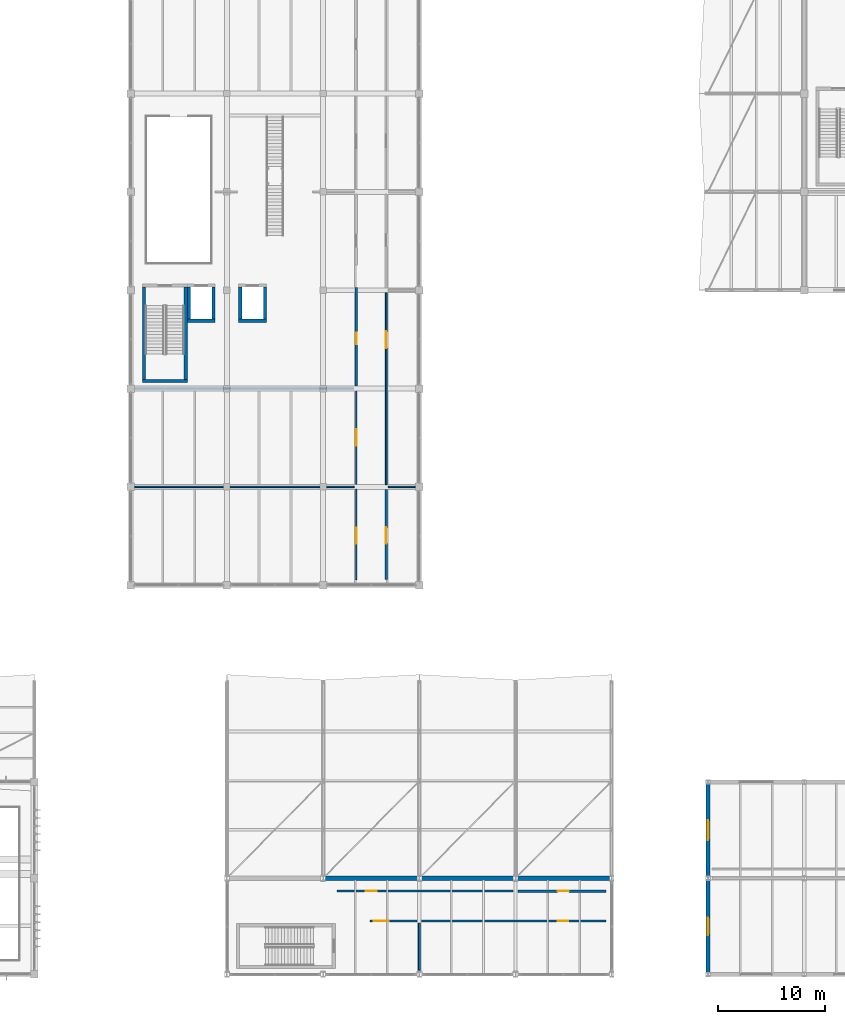
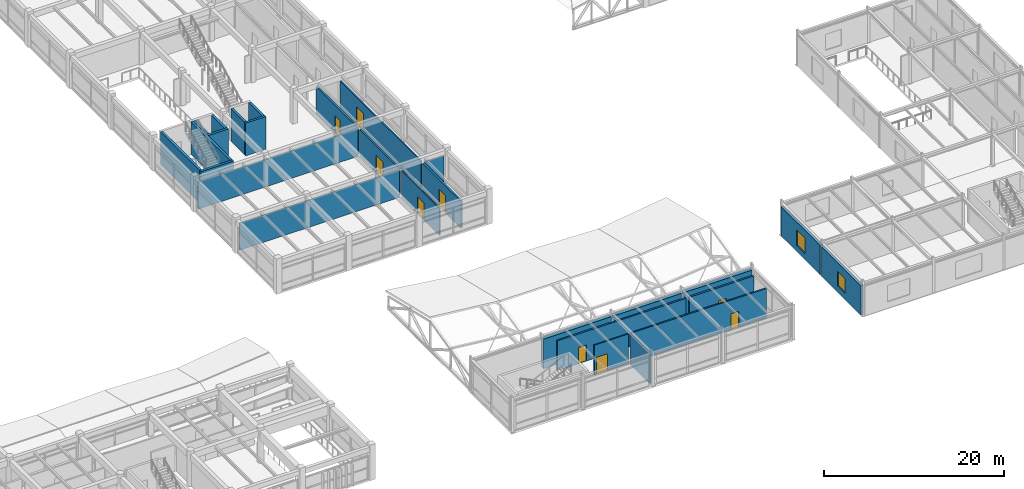
# One storey, part 72 of 90: 27 walls, 9 doors, 2 windows, 11 openings.
"""IFC4 building model written with IfcOpenShell, lengths in metres."""

from ifc_helpers import new_model, si_unit, direction, frame, frame_2d, origin, place, context, subcontext, project, spatial, rectangle, extrude, material, layer, layer_set, type_object, element, fill, save


model = new_model("IFC4")

# Units and contexts
model_context = context("Model", 3, precision=1e-05, world=origin(), true_north=direction((0.0, 1.0)))
body_context = subcontext(model_context, "Body", "Model", "MODEL_VIEW")
ifc_project = project(units=[si_unit("LENGTHUNIT", "METRE"), si_unit("AREAUNIT", "SQUARE_METRE"), si_unit("VOLUMEUNIT", "CUBIC_METRE"), si_unit("PLANEANGLEUNIT", "RADIAN"), si_unit("MASSUNIT", "GRAM", prefix="KILO")], contexts=[model_context])

# Site, building, storey
site_placement = place(None, origin())
site = spatial("IfcSite", under=ifc_project, at=site_placement, CompositionType="ELEMENT")
building_placement = place(site_placement, origin())
building = spatial("IfcBuilding", under=site, at=building_placement, Name="Bozkorgan Art Gallery", CompositionType="ELEMENT")
storey_placement = place(building_placement, frame((0.0, 0.0, 5.39990234375)))
storey = spatial("IfcBuildingStorey", under=building, at=storey_placement, Name="L01", CompositionType="ELEMENT", Elevation=5.39990234375)

# Walls
ifc_material_1 = material(Name="Concrete C40/50", Category="concrete")
ifc_layer_1 = layer(ifc_material_1, 0.300048828125, Name="Concrete C40/50")
ifc_layer_set_1 = layer_set([ifc_layer_1], Name="Concrete C40/50")
wall_type_1 = type_object("IfcWallType", Name="IWALL-CW-44", PredefinedType="SHEAR", material=ifc_layer_set_1)
wall_1_placement = place(storey_placement, frame((75.10009765625, 57.5, 0.0), z_axis=(0.0, 0.0, 1.0), x_axis=(1.0, 0.0, 0.0)))
element("IfcWall", 1, at=wall_1_placement, inside=storey, type_object=wall_type_1, Name="CORE2 L01 stair core S shear wall", PredefinedType="SHEAR", context=body_context, shape_type="SweptSolid", body=[
    extrude(rectangle(XDim=4.199951171875, YDim=0.300048828125, at=frame_2d((2.10009765625, 0.0))), origin(), (0.0, 0.0, 1.0), 4.440185546875),
])
for number, where, z_axis, x_axis, name in (
    (2, (75.25, 57.64990234375, 0.0), (0.0, 0.0, 1.0), (0.0, 1.0, 0.0), "CORE2 L01 stair core W shear wall"),
    (3, (79.14990234375, 57.64990234375, 0.0), (0.0, 0.0, 1.0), (0.0, 1.0, 0.0), "CORE2 L01 stair core E shear wall"),
):
    element("IfcWall", number, at=place(storey_placement, frame(where, z_axis=z_axis, x_axis=x_axis)), inside=storey, type_object=wall_type_1, Name=name, PredefinedType="SHEAR", context=body_context, shape_type="SweptSolid", body=[
        extrude(rectangle(XDim=8.650146484375, YDim=0.300048828125, at=frame_2d((4.3251953125, 0.0))), origin(), (0.0, 0.0, 1.0), 4.440185546875),
    ])
wall_2_placement = place(storey_placement, frame((79.300048828125, 63.14990234375, 0.0), z_axis=(0.0, 0.0, 1.0), x_axis=(1.0, 0.0, 0.0)))
element("IfcWall", 4, at=wall_2_placement, inside=storey, type_object=wall_type_1, Name="PL2 L01 shaft S shear wall", PredefinedType="SHEAR", context=body_context, shape_type="SweptSolid", body=[
    extrude(rectangle(XDim=2.599853515625, YDim=0.300048828125, at=frame_2d((1.2998046875, 0.0))), origin(), (0.0, 0.0, 1.0), 4.440185546875),
])
for number, where, z_axis, x_axis, name in (
    (5, (81.75, 63.300048828125, 0.0), (0.0, 0.0, 1.0), (0.0, 1.0, 0.0), "PL2 L01 shaft E shear wall"),
    (6, (79.449951171875, 63.300048828125, 0.0), (0.0, 0.0, 1.0), (0.0, 1.0, 0.0), "PL2 L01 shaft W shear wall"),
):
    element("IfcWall", number, at=place(storey_placement, frame(where, z_axis=z_axis, x_axis=x_axis)), inside=storey, type_object=wall_type_1, Name=name, PredefinedType="SHEAR", context=body_context, shape_type="SweptSolid", body=[
        extrude(rectangle(XDim=3.0, YDim=0.300048828125, at=frame_2d((1.5, 0.0))), origin(), (0.0, 0.0, 1.0), 4.440185546875),
    ])
wall_3_placement = place(storey_placement, frame((84.10009765625, 63.14990234375, 0.0), z_axis=(0.0, 0.0, 1.0), x_axis=(1.0, 0.0, 0.0)))
element("IfcWall", 7, at=wall_3_placement, inside=storey, type_object=wall_type_1, Name="PL3 L01 shaft S shear wall", PredefinedType="SHEAR", context=body_context, shape_type="SweptSolid", body=[
    extrude(rectangle(XDim=2.599853515625, YDim=0.300048828125, at=frame_2d((1.2998046875, 0.0))), origin(), (0.0, 0.0, 1.0), 4.440185546875),
])
for number, where, z_axis, x_axis, name in (
    (8, (86.550048828125, 63.300048828125, 0.0), (0.0, 0.0, 1.0), (0.0, 1.0, 0.0), "PL3 L01 shaft E shear wall"),
    (9, (84.25, 63.300048828125, 0.0), (0.0, 0.0, 1.0), (0.0, 1.0, 0.0), "PL3 L01 shaft W shear wall"),
):
    element("IfcWall", number, at=place(storey_placement, frame(where, z_axis=z_axis, x_axis=x_axis)), inside=storey, type_object=wall_type_1, Name=name, PredefinedType="SHEAR", context=body_context, shape_type="SweptSolid", body=[
        extrude(rectangle(XDim=3.0, YDim=0.300048828125, at=frame_2d((1.5, 0.0))), origin(), (0.0, 0.0, 1.0), 4.440185546875),
    ])

# Wall, opening, door
ifc_material_2 = material(Name="Acoustic Gypsum & Mineral Wool Partition")
ifc_layer_2 = layer(ifc_material_2, 0.22998046875, Name="Acoustic Gypsum & Mineral Wool Partition")
ifc_layer_set_2 = layer_set([ifc_layer_2], Name="Acoustic Gypsum & Mineral Wool Partition")
wall_type_2 = type_object("IfcWallType", Name="IWALL-PR-08", PredefinedType="PARTITIONING", material=ifc_layer_set_2)
wall_4_placement = place(storey_placement, frame((110.219970703125, 9.800048828125, 0.0), z_axis=(0.0, 0.0, 1.0), x_axis=(1.0, 0.0, 0.0)))
wall_4 = element("IfcWall", 10, at=wall_4_placement, inside=storey, type_object=wall_type_2, Name="V3 L01 acoustic partition wall 173", PredefinedType="PARTITIONING", context=body_context, shape_type="SweptSolid", body=[
    extrude(rectangle(XDim=8.239990234375, YDim=0.22998046875, at=frame_2d((4.1201171875, 0.0))), origin(), (0.0, 0.0, 1.0), 4.03515625),
])
opening_1_placement = place(wall_4_placement, frame((4.7607421875, 0.0, 0.0), z_axis=(0.0, 0.0, 1.0), x_axis=(-1.0, 0.0, 0.0)))
opening_1 = element("IfcOpeningElement", 11, at=opening_1_placement, cuts=wall_4, Name="Opening FD-96", PredefinedType="OPENING", context=body_context, shape_type="SweptSolid", body=[
    extrude(rectangle(XDim=1.0400390625, YDim=2.219970703125, at=frame_2d((0.52001953125, 1.10986328125))), frame((0.0, 0.125, 0.0), z_axis=(0.0, -1.0, 0.0), x_axis=(1.0, 0.0, 0.0)), (0.0, 0.0, 1.0), 0.25),
])
ifc_material_3 = material(Name="Oiled European Oak Joinery")
door_type_1 = type_object("IfcDoorType", Name="IDOOR-FD-96", OperationType="NOTDEFINED", PredefinedType="DOOR", material=ifc_material_3)
door_1_placement = place(opening_1_placement, origin())
door_1 = element("IfcDoor", 12, at=door_1_placement, inside=storey, type_object=door_type_1, Name="Sound Archive Listening Room Door", OperationType="SINGLE_SWING_LEFT", OverallHeight=2.219970703125, OverallWidth=1.0400390625, PredefinedType="DOOR", context=body_context, shape_type="SweptSolid", body=[
    extrude(rectangle(XDim=1.0400390625, YDim=2.219970703125, at=frame_2d((0.52001953125, 1.10986328125))), frame((0.0, 0.02490234375, 0.0), z_axis=(0.0, -1.0, 0.0), x_axis=(1.0, 0.0, 0.0)), (0.0, 0.0, 1.0), 0.050048828125),
])
fill(opening_1, door_1)

wall_5_placement = place(storey_placement, frame((97.89990234375, 38.93994140625, 0.0), z_axis=(0.0, 0.0, 1.0), x_axis=(0.0, 1.0, 0.0)))
wall_5 = element("IfcWall", 13, at=wall_5_placement, inside=storey, type_object=wall_type_2, Name="V4 L01 acoustic partition wall 221", PredefinedType="PARTITIONING", context=body_context, shape_type="SweptSolid", body=[
    extrude(rectangle(XDim=8.43994140625, YDim=0.22998046875, at=frame_2d((4.219970703125, 0.0))), origin(), (0.0, 0.0, 1.0), 3.675048828125),
])
opening_2_placement = place(wall_5_placement, frame((3.36767578125, 0.0, 0.0)))
opening_2 = element("IfcOpeningElement", 14, at=opening_2_placement, cuts=wall_5, Name="Opening GD-06", PredefinedType="OPENING", context=body_context, shape_type="SweptSolid", body=[
    extrude(rectangle(XDim=1.5, YDim=2.35009765625, at=frame_2d((0.75, 1.175048828125))), frame((0.0, 0.125, 0.0), z_axis=(0.0, -1.0, 0.0), x_axis=(1.0, 0.0, 0.0)), (0.0, 0.0, 1.0), 0.25),
])
door_type_2 = type_object("IfcDoorType", Name="IDOOR-GD-06", OperationType="NOTDEFINED", PredefinedType="DOOR", material=ifc_material_3)
door_2_placement = place(opening_2_placement, origin())
door_2 = element("IfcDoor", 15, at=door_2_placement, inside=storey, type_object=door_type_2, Name="Concourse Mezzanine Restaurant Door", OperationType="DOUBLE_DOOR_SINGLE_SWING", OverallHeight=2.35009765625, OverallWidth=1.5, PredefinedType="DOOR", context=body_context, shape_type="SweptSolid", body=[
    extrude(rectangle(XDim=1.5, YDim=2.35009765625, at=frame_2d((0.75, 1.175048828125))), frame((0.0, 0.02490234375, 0.0), z_axis=(0.0, -1.0, 0.0), x_axis=(1.0, 0.0, 0.0)), (0.0, 0.0, 1.0), 0.050048828125),
])
fill(opening_2, door_2)

ifc_layer_3 = layer(ifc_material_2, 0.2099609375, Name="Acoustic Gypsum & Mineral Wool Partition")
ifc_layer_set_3 = layer_set([ifc_layer_3], Name="Acoustic Gypsum & Mineral Wool Partition")
wall_type_3 = type_object("IfcWallType", Name="IWALL-PR-38", PredefinedType="PARTITIONING", material=ifc_layer_set_3)
wall_6_placement = place(storey_placement, frame((93.280029296875, 9.800048828125, 0.0), z_axis=(0.0, 0.0, 1.0), x_axis=(1.0, 0.0, 0.0)))
wall_6 = element("IfcWall", 16, at=wall_6_placement, inside=storey, type_object=wall_type_3, Name="V3 L01 acoustic partition wall 172", PredefinedType="PARTITIONING", context=body_context, shape_type="SweptSolid", body=[
    extrude(rectangle(XDim=16.5, YDim=0.2099609375, at=frame_2d((8.25, 0.0))), origin(), (0.0, 0.0, 1.0), 4.03515625),
])
opening_3_placement = place(wall_6_placement, frame((3.71630859375, 0.0, 0.0), z_axis=(0.0, 0.0, 1.0), x_axis=(-1.0, 0.0, 0.0)))
opening_3 = element("IfcOpeningElement", 17, at=opening_3_placement, cuts=wall_6, Name="Opening FD-60", PredefinedType="OPENING", context=body_context, shape_type="SweptSolid", body=[
    extrude(rectangle(XDim=1.0, YDim=2.199951171875, at=frame_2d((0.5, 1.10009765625))), frame((0.0, 0.114990234375, 0.0), z_axis=(0.0, -1.0, 0.0), x_axis=(1.0, 0.0, 0.0)), (0.0, 0.0, 1.0), 0.22998046875),
])
door_type_3 = type_object("IfcDoorType", Name="IDOOR-FD-60", OperationType="NOTDEFINED", PredefinedType="DOOR", material=ifc_material_3)
door_3_placement = place(opening_3_placement, origin())
door_3 = element("IfcDoor", 18, at=door_3_placement, inside=storey, type_object=door_type_3, Name="Translation Booth Room Door", OperationType="SINGLE_SWING_RIGHT", OverallHeight=2.199951171875, OverallWidth=1.0, PredefinedType="DOOR", context=body_context, shape_type="SweptSolid", body=[
    extrude(rectangle(XDim=1.0, YDim=2.199951171875, at=frame_2d((0.5, 1.10009765625))), frame((0.0, 0.02490234375, 0.0), z_axis=(0.0, -1.0, 0.0), x_axis=(1.0, 0.0, 0.0)), (0.0, 0.0, 1.0), 0.050048828125),
])
fill(opening_3, door_3)

wall_7_placement = place(storey_placement, frame((95.10009765625, 57.02001953125, 0.0), z_axis=(0.0, 0.0, 1.0), x_axis=(0.0, 1.0, 0.0)))
wall_7 = element("IfcWall", 19, at=wall_7_placement, inside=storey, type_object=wall_type_3, Name="V4 L01 acoustic partition wall 214", PredefinedType="PARTITIONING", context=body_context, shape_type="SweptSolid", body=[
    extrude(rectangle(XDim=9.239990234375, YDim=0.2099609375, at=frame_2d((4.6201171875, 0.0))), origin(), (0.0, 0.0, 1.0), 3.675048828125),
])
opening_4_placement = place(wall_7_placement, frame((4.9990234375, 0.0, 0.0), z_axis=(0.0, 0.0, 1.0), x_axis=(-1.0, 0.0, 0.0)))
opening_4 = element("IfcOpeningElement", 20, at=opening_4_placement, cuts=wall_7, Name="Opening FD-44", PredefinedType="OPENING", context=body_context, shape_type="SweptSolid", body=[
    extrude(rectangle(XDim=1.080078125, YDim=2.239990234375, at=frame_2d((0.5400390625, 1.1201171875))), frame((0.0, 0.114990234375, 0.0), z_axis=(0.0, -1.0, 0.0), x_axis=(1.0, 0.0, 0.0)), (0.0, 0.0, 1.0), 0.22998046875),
])
door_type_4 = type_object("IfcDoorType", Name="IDOOR-FD-44", OperationType="NOTDEFINED", PredefinedType="DOOR", material=ifc_material_3)
door_4_placement = place(opening_4_placement, origin())
door_4 = element("IfcDoor", 21, at=door_4_placement, inside=storey, type_object=door_type_4, Name="Server Pantry Kitchen Door", OperationType="SINGLE_SWING_RIGHT", OverallHeight=2.239990234375, OverallWidth=1.080078125, PredefinedType="DOOR", context=body_context, shape_type="SweptSolid", body=[
    extrude(rectangle(XDim=1.080078125, YDim=2.239990234375, at=frame_2d((0.5400390625, 1.1201171875))), frame((0.0, 0.02490234375, 0.0), z_axis=(0.0, -1.0, 0.0), x_axis=(1.0, 0.0, 0.0)), (0.0, 0.0, 1.0), 0.050048828125),
])
fill(opening_4, door_4)

ifc_layer_4 = layer(ifc_material_2, 0.169921875, Name="Acoustic Gypsum & Mineral Wool Partition")
ifc_layer_set_4 = layer_set([ifc_layer_4], Name="Acoustic Gypsum & Mineral Wool Partition")
wall_type_4 = type_object("IfcWallType", Name="IWALL-PR-40", PredefinedType="PARTITIONING", material=ifc_layer_set_4)
wall_8_placement = place(storey_placement, frame((95.10009765625, 47.820068359375, 0.0), z_axis=(0.0, 0.0, 1.0), x_axis=(0.0, 1.0, 0.0)))
wall_8 = element("IfcWall", 22, at=wall_8_placement, inside=storey, type_object=wall_type_4, Name="V4 L01 acoustic partition wall 212", PredefinedType="PARTITIONING", context=body_context, shape_type="SweptSolid", body=[
    extrude(rectangle(XDim=8.760009765625, YDim=0.169921875, at=frame_2d((4.3798828125, 0.0))), origin(), (0.0, 0.0, 1.0), 3.675048828125),
])
opening_5_placement = place(wall_8_placement, frame((5.169921875, 0.0, 0.0), z_axis=(0.0, 0.0, 1.0), x_axis=(-1.0, 0.0, 0.0)))
opening_5 = element("IfcOpeningElement", 23, at=opening_5_placement, cuts=wall_8, Name="Opening GD-82", PredefinedType="OPENING", context=body_context, shape_type="SweptSolid", body=[
    extrude(rectangle(XDim=1.5400390625, YDim=2.360107421875, at=frame_2d((0.77001953125, 1.18017578125))), frame((0.0, 0.094970703125, 0.0), z_axis=(0.0, -1.0, 0.0), x_axis=(1.0, 0.0, 0.0)), (0.0, 0.0, 1.0), 0.18994140625),
])
door_type_5 = type_object("IfcDoorType", Name="IDOOR-GD-82", OperationType="NOTDEFINED", PredefinedType="DOOR", material=ifc_material_3)
door_5_placement = place(opening_5_placement, origin())
door_5 = element("IfcDoor", 24, at=door_5_placement, inside=storey, type_object=door_type_5, Name="Catalan Vault Dining Hall Door", OperationType="DOUBLE_DOOR_SINGLE_SWING", OverallHeight=2.360107421875, OverallWidth=1.5400390625, PredefinedType="DOOR", context=body_context, shape_type="SweptSolid", body=[
    extrude(rectangle(XDim=1.5400390625, YDim=2.360107421875, at=frame_2d((0.77001953125, 1.18017578125))), frame((0.0, 0.02490234375, 0.0), z_axis=(0.0, -1.0, 0.0), x_axis=(1.0, 0.0, 0.0)), (0.0, 0.0, 1.0), 0.050048828125),
])
fill(opening_5, door_5)

ifc_layer_5 = layer(ifc_material_2, 0.14990234375, Name="Acoustic Gypsum & Mineral Wool Partition")
ifc_layer_set_5 = layer_set([ifc_layer_5], Name="Acoustic Gypsum & Mineral Wool Partition")
wall_type_5 = type_object("IfcWallType", Name="IWALL-PR-55", PredefinedType="PARTITIONING", material=ifc_layer_set_5)
wall_9_placement = place(storey_placement, frame((96.419921875, 7.0, 0.0), z_axis=(0.0, 0.0, 1.0), x_axis=(1.0, 0.0, 0.0)))
wall_9 = element("IfcWall", 25, at=wall_9_placement, inside=storey, type_object=wall_type_5, Name="V3 L01 acoustic partition wall 169", PredefinedType="PARTITIONING", context=body_context, shape_type="SweptSolid", body=[
    extrude(rectangle(XDim=4.360107421875, YDim=0.14990234375, at=frame_2d((2.18017578125, 0.0))), origin(), (0.0, 0.0, 1.0), 4.03515625),
])
opening_6_placement = place(wall_9_placement, frame((0.300048828125, 0.0, 0.0)))
opening_6 = element("IfcOpeningElement", 26, at=opening_6_placement, cuts=wall_9, Name="Opening GD-50", PredefinedType="OPENING", context=body_context, shape_type="SweptSolid", body=[
    extrude(rectangle(XDim=1.419921875, YDim=2.300048828125, at=frame_2d((0.7099609375, 1.14990234375))), frame((0.0, 0.0849609375, 0.0), z_axis=(0.0, -1.0, 0.0), x_axis=(1.0, 0.0, 0.0)), (0.0, 0.0, 1.0), 0.169921875),
])
door_type_6 = type_object("IfcDoorType", Name="IDOOR-GD-50", OperationType="NOTDEFINED", PredefinedType="DOOR", material=ifc_material_3)
door_6_placement = place(opening_6_placement, origin())
door_6 = element("IfcDoor", 27, at=door_6_placement, inside=storey, type_object=door_type_6, Name="Auditorium Upper Tier Door", OperationType="DOUBLE_DOOR_SINGLE_SWING", OverallHeight=2.300048828125, OverallWidth=1.419921875, PredefinedType="DOOR", context=body_context, shape_type="SweptSolid", body=[
    extrude(rectangle(XDim=1.419921875, YDim=2.300048828125, at=frame_2d((0.7099609375, 1.14990234375))), frame((0.0, 0.02490234375, 0.0), z_axis=(0.0, -1.0, 0.0), x_axis=(1.0, 0.0, 0.0)), (0.0, 0.0, 1.0), 0.050048828125),
])
fill(opening_6, door_6)

wall_10_placement = place(storey_placement, frame((97.89990234375, 47.820068359375, 0.0), z_axis=(0.0, 0.0, 1.0), x_axis=(0.0, 1.0, 0.0)))
wall_10 = element("IfcWall", 28, at=wall_10_placement, inside=storey, type_object=wall_type_5, Name="V4 L01 acoustic partition wall 223", PredefinedType="PARTITIONING", context=body_context, shape_type="SweptSolid", body=[
    extrude(rectangle(XDim=17.9599609375, YDim=0.14990234375, at=frame_2d((8.97998046875, 0.0))), origin(), (0.0, 0.0, 1.0), 3.675048828125),
])
opening_7_placement = place(wall_10_placement, frame((12.7470703125, 0.0, 0.0)))
opening_7 = element("IfcOpeningElement", 29, at=opening_7_placement, cuts=wall_10, Name="Opening GD-25", PredefinedType="OPENING", context=body_context, shape_type="SweptSolid", body=[
    extrude(rectangle(XDim=1.580078125, YDim=2.3798828125, at=frame_2d((0.7900390625, 1.18994140625))), frame((0.0, 0.0849609375, 0.0), z_axis=(0.0, -1.0, 0.0), x_axis=(1.0, 0.0, 0.0)), (0.0, 0.0, 1.0), 0.169921875),
])
door_type_7 = type_object("IfcDoorType", Name="IDOOR-GD-25", OperationType="NOTDEFINED", PredefinedType="DOOR", material=ifc_material_3)
door_7_placement = place(opening_7_placement, origin())
door_7 = element("IfcDoor", 30, at=door_7_placement, inside=storey, type_object=door_type_7, Name="Catalan Vault Dining Hall Door", OperationType="DOUBLE_DOOR_SINGLE_SWING", OverallHeight=2.3798828125, OverallWidth=1.580078125, PredefinedType="DOOR", context=body_context, shape_type="SweptSolid", body=[
    extrude(rectangle(XDim=1.580078125, YDim=2.3798828125, at=frame_2d((0.7900390625, 1.18994140625))), frame((0.0, 0.02490234375, 0.0), z_axis=(0.0, -1.0, 0.0), x_axis=(1.0, 0.0, 0.0)), (0.0, 0.0, 1.0), 0.050048828125),
])
fill(opening_7, door_7)

ifc_layer_6 = layer(ifc_material_2, 0.18994140625, Name="Acoustic Gypsum & Mineral Wool Partition")
ifc_layer_set_6 = layer_set([ifc_layer_6], Name="Acoustic Gypsum & Mineral Wool Partition")
wall_type_6 = type_object("IfcWallType", Name="IWALL-PR-66", PredefinedType="PARTITIONING", material=ifc_layer_set_6)
wall_11_placement = place(storey_placement, frame((101.219970703125, 7.0, 0.0), z_axis=(0.0, 0.0, 1.0), x_axis=(1.0, 0.0, 0.0)))
wall_11 = element("IfcWall", 31, at=wall_11_placement, inside=storey, type_object=wall_type_6, Name="V3 L01 acoustic partition wall 171", PredefinedType="PARTITIONING", context=body_context, shape_type="SweptSolid", body=[
    extrude(rectangle(XDim=17.239990234375, YDim=0.18994140625, at=frame_2d((8.6201171875, 0.0))), origin(), (0.0, 0.0, 1.0), 4.03515625),
])
opening_8_placement = place(wall_11_placement, frame((12.731689453125, 0.0, 0.0)))
opening_8 = element("IfcOpeningElement", 32, at=opening_8_placement, cuts=wall_11, Name="Opening FD-75", PredefinedType="OPENING", context=body_context, shape_type="SweptSolid", body=[
    extrude(rectangle(XDim=0.97998046875, YDim=2.179931640625, at=frame_2d((0.489990234375, 1.08984375))), frame((0.0, 0.10498046875, 0.0), z_axis=(0.0, -1.0, 0.0), x_axis=(1.0, 0.0, 0.0)), (0.0, 0.0, 1.0), 0.2099609375),
])
door_type_8 = type_object("IfcDoorType", Name="IDOOR-FD-75", OperationType="NOTDEFINED", PredefinedType="DOOR", material=ifc_material_3)
door_8_placement = place(opening_8_placement, origin())
door_8 = element("IfcDoor", 33, at=door_8_placement, inside=storey, type_object=door_type_8, Name="Projection Control Suite Door", OperationType="SINGLE_SWING_LEFT", OverallHeight=2.179931640625, OverallWidth=0.97998046875, PredefinedType="DOOR", context=body_context, shape_type="SweptSolid", body=[
    extrude(rectangle(XDim=0.97998046875, YDim=2.179931640625, at=frame_2d((0.489990234375, 1.08984375))), frame((0.0, 0.02490234375, 0.0), z_axis=(0.0, -1.0, 0.0), x_axis=(1.0, 0.0, 0.0)), (0.0, 0.0, 1.0), 0.050048828125),
])
fill(opening_8, door_8)

ifc_layer_7 = layer(ifc_material_2, 0.1298828125, Name="Acoustic Gypsum & Mineral Wool Partition")
ifc_layer_set_7 = layer_set([ifc_layer_7], Name="Acoustic Gypsum & Mineral Wool Partition")
wall_type_7 = type_object("IfcWallType", Name="IWALL-PR-76", PredefinedType="PARTITIONING", material=ifc_layer_set_7)
wall_12_placement = place(storey_placement, frame((95.10009765625, 38.93994140625, 0.0), z_axis=(0.0, 0.0, 1.0), x_axis=(0.0, 1.0, 0.0)))
wall_12 = element("IfcWall", 34, at=wall_12_placement, inside=storey, type_object=wall_type_7, Name="V4 L01 acoustic partition wall 210", PredefinedType="PARTITIONING", context=body_context, shape_type="SweptSolid", body=[
    extrude(rectangle(XDim=8.43994140625, YDim=0.1298828125, at=frame_2d((4.219970703125, 0.0))), origin(), (0.0, 0.0, 1.0), 3.675048828125),
])
opening_9_placement = place(wall_12_placement, frame((4.82763671875, 0.0, 0.0), z_axis=(0.0, 0.0, 1.0), x_axis=(-1.0, 0.0, 0.0)))
opening_9 = element("IfcOpeningElement", 35, at=opening_9_placement, cuts=wall_12, Name="Opening GD-47", PredefinedType="OPENING", context=body_context, shape_type="SweptSolid", body=[
    extrude(rectangle(XDim=1.4599609375, YDim=2.320068359375, at=frame_2d((0.72998046875, 1.16015625))), frame((0.0, 0.074951171875, 0.0), z_axis=(0.0, -1.0, 0.0), x_axis=(1.0, 0.0, 0.0)), (0.0, 0.0, 1.0), 0.14990234375),
])
door_type_9 = type_object("IfcDoorType", Name="IDOOR-GD-47", OperationType="NOTDEFINED", PredefinedType="DOOR", material=ifc_material_3)
door_9_placement = place(opening_9_placement, origin())
door_9 = element("IfcDoor", 36, at=door_9_placement, inside=storey, type_object=door_type_9, Name="Concourse Mezzanine Restaurant Door", OperationType="DOUBLE_DOOR_SINGLE_SWING", OverallHeight=2.320068359375, OverallWidth=1.4599609375, PredefinedType="DOOR", context=body_context, shape_type="SweptSolid", body=[
    extrude(rectangle(XDim=1.4599609375, YDim=2.320068359375, at=frame_2d((0.72998046875, 1.16015625))), frame((0.0, 0.02490234375, 0.0), z_axis=(0.0, -1.0, 0.0), x_axis=(1.0, 0.0, 0.0)), (0.0, 0.0, 1.0), 0.050048828125),
])
fill(opening_9, door_9)

# Walls
ifc_layer_8 = layer(ifc_material_2, 0.169921875, Name="Acoustic Gypsum & Mineral Wool Partition")
ifc_layer_set_8 = layer_set([ifc_layer_8], Name="Acoustic Gypsum & Mineral Wool Partition")
wall_type_8 = type_object("IfcWallType", Name="IWALL-PW-02", PredefinedType="PARTITIONING", material=ifc_layer_set_8)
wall_13_placement = place(storey_placement, frame((101.0, 2.39990234375, 0.0), z_axis=(0.0, 0.0, 1.0), x_axis=(0.0, 1.0, 0.0)))
element("IfcWall", 37, at=wall_13_placement, inside=storey, type_object=wall_type_8, Name="V3 L01 acoustic partition wall 170", PredefinedType="PARTITIONING", context=body_context, shape_type="SweptSolid", body=[
    extrude(rectangle(XDim=4.400146484375, YDim=0.169921875, at=frame_2d((2.2001953125, 0.0))), origin(), (0.0, 0.0, 1.0), 4.03515625),
])
ifc_layer_9 = layer(ifc_material_2, 0.14990234375, Name="Acoustic Gypsum & Mineral Wool Partition")
ifc_layer_set_9 = layer_set([ifc_layer_9], Name="Acoustic Gypsum & Mineral Wool Partition")
wall_type_9 = type_object("IfcWallType", Name="IWALL-PW-17", PredefinedType="PARTITIONING", material=ifc_layer_set_9)
wall_14_placement = place(storey_placement, frame((74.39990234375, 47.60009765625, 0.0), z_axis=(0.0, 0.0, 1.0), x_axis=(1.0, 0.0, 0.0)))
element("IfcWall", 38, at=wall_14_placement, inside=storey, type_object=wall_type_9, Name="V4 L01 acoustic partition wall 211", PredefinedType="PARTITIONING", context=body_context, shape_type="SweptSolid", body=[
    extrude(rectangle(XDim=20.5, YDim=0.14990234375, at=frame_2d((10.25, 0.0))), origin(), (0.0, 0.0, 1.0), 3.675048828125),
])
ifc_layer_10 = layer(ifc_material_2, 0.18994140625, Name="Acoustic Gypsum & Mineral Wool Partition")
ifc_layer_set_10 = layer_set([ifc_layer_10], Name="Acoustic Gypsum & Mineral Wool Partition")
wall_type_10 = type_object("IfcWallType", Name="IWALL-PW-23", PredefinedType="PARTITIONING", material=ifc_layer_set_10)
wall_15_placement = place(storey_placement, frame((74.39990234375, 56.800048828125, 0.0), z_axis=(0.0, 0.0, 1.0), x_axis=(1.0, 0.0, 0.0)))
element("IfcWall", 39, at=wall_15_placement, inside=storey, type_object=wall_type_10, Name="V4 L01 acoustic partition wall 213", PredefinedType="PARTITIONING", context=body_context, shape_type="SweptSolid", body=[
    extrude(rectangle(XDim=20.5, YDim=0.18994140625, at=frame_2d((10.25, 0.0))), origin(), (0.0, 0.0, 1.0), 3.675048828125),
])
ifc_layer_11 = layer(ifc_material_2, 0.1298828125, Name="Acoustic Gypsum & Mineral Wool Partition")
ifc_layer_set_11 = layer_set([ifc_layer_11], Name="Acoustic Gypsum & Mineral Wool Partition")
wall_type_11 = type_object("IfcWallType", Name="IWALL-PW-97", PredefinedType="PARTITIONING", material=ifc_layer_set_11)
wall_16_placement = place(storey_placement, frame((98.10009765625, 47.60009765625, 0.0), z_axis=(0.0, 0.0, 1.0), x_axis=(1.0, 0.0, 0.0)))
element("IfcWall", 40, at=wall_16_placement, inside=storey, type_object=wall_type_11, Name="V4 L01 acoustic partition wall 222", PredefinedType="PARTITIONING", context=body_context, shape_type="SweptSolid", body=[
    extrude(rectangle(XDim=2.5, YDim=0.1298828125, at=frame_2d((1.25, 0.0))), origin(), (0.0, 0.0, 1.0), 3.675048828125),
])
ifc_material_4 = material(Name="Kordai Rose Granite Ashlar", Category="masonry")
ifc_layer_12 = layer(ifc_material_4, 0.449951171875, Name="Kordai Rose Granite Ashlar")
ifc_layer_set_12 = layer_set([ifc_layer_12], Name="Kordai Rose Granite Ashlar")
wall_type_12 = type_object("IfcWallType", Name="WALL-WA-47", PredefinedType="STANDARD", material=ifc_layer_set_12)
for number, where, z_axis, x_axis, name in (
    (41, (92.14990234375, 11.0, 0.0), (0.0, 0.0, 1.0), (1.0, 0.0, 0.0), "V3 L01 exterior facade wall 1N-4"),
    (42, (101.14990234375, 11.0, 0.0), (0.0, 0.0, 1.0), (1.0, 0.0, 0.0), "V3 L01 exterior facade wall 1N-6"),
    (43, (110.14990234375, 11.0, 0.0), (0.0, 0.0, 1.0), (1.0, 0.0, 0.0), "V3 L01 exterior facade wall 1N-8"),
):
    element("IfcWall", number, at=place(storey_placement, frame(where, z_axis=z_axis, x_axis=x_axis)), inside=storey, type_object=wall_type_12, Name=name, PredefinedType="STANDARD", context=body_context, shape_type="SweptSolid", body=[
        extrude(rectangle(XDim=8.7001953125, YDim=0.449951171875, at=frame_2d((4.35009765625, 0.0))), origin(), (0.0, 0.0, 1.0), 4.03515625),
    ])

# Wall, opening, window
ifc_material_5 = material(Name="Pressed Terracotta Brick Masonry", Category="masonry")
ifc_layer_13 = layer(ifc_material_5, 0.340087890625, Name="Pressed Terracotta Brick Masonry")
ifc_layer_set_13 = layer_set([ifc_layer_13], Name="Pressed Terracotta Brick Masonry")
wall_type_13 = type_object("IfcWallType", Name="WALL-WB-71", PredefinedType="STANDARD", material=ifc_layer_set_13)
wall_17_placement = place(storey_placement, frame((128.0, 2.159912109375, 0.0), z_axis=(0.0, 0.0, 1.0), x_axis=(0.0, 1.0, 0.0)))
wall_17 = element("IfcWall", 44, at=wall_17_placement, inside=storey, type_object=wall_type_13, Name="V6 L01 exterior facade wall 1W-7", PredefinedType="STANDARD", context=body_context, shape_type="SweptSolid", body=[
    extrude(rectangle(XDim=8.68017578125, YDim=0.340087890625, at=frame_2d((4.340087890625, 0.0))), origin(), (0.0, 0.0, 1.0), 3.985107421875),
])
opening_10_placement = place(wall_17_placement, frame((3.514892578125, 0.0, 0.85009765625)))
opening_10 = element("IfcOpeningElement", 45, at=opening_10_placement, cuts=wall_17, Name="Opening WN-36", PredefinedType="OPENING", context=body_context, shape_type="SweptSolid", body=[
    extrude(rectangle(XDim=1.64990234375, YDim=2.0, at=frame_2d((0.824951171875, 1.0))), frame((0.0, 0.18017578125, 0.0), z_axis=(0.0, -1.0, 0.0), x_axis=(1.0, 0.0, 0.0)), (0.0, 0.0, 1.0), 0.360107421875),
])
ifc_material_6 = material(Name="Triple Low-E Laminated Glass", Category="glass")
window_type_1 = type_object("IfcWindowType", Name="WIN-WN-36", PartitioningType="SINGLE_PANEL", PredefinedType="WINDOW", material=ifc_material_6)
window_1_placement = place(opening_10_placement, origin())
window_1 = element("IfcWindow", 46, at=window_1_placement, inside=storey, type_object=window_type_1, Name="V6 L01 gallery window 1W-7", OverallHeight=2.0, OverallWidth=1.64990234375, PartitioningType="SINGLE_PANEL", PredefinedType="WINDOW", context=body_context, shape_type="SweptSolid", body=[
    extrude(rectangle(XDim=1.64990234375, YDim=2.0, at=frame_2d((0.824951171875, 1.0))), frame((0.0, 0.030029296875, 0.0), z_axis=(0.0, -1.0, 0.0), x_axis=(1.0, 0.0, 0.0)), (0.0, 0.0, 1.0), 0.06005859375),
])
fill(opening_10, window_1)

wall_18_placement = place(storey_placement, frame((128.0, 11.159912109375, 0.0), z_axis=(0.0, 0.0, 1.0), x_axis=(0.0, 1.0, 0.0)))
wall_18 = element("IfcWall", 47, at=wall_18_placement, inside=storey, type_object=wall_type_13, Name="V6 L01 exterior facade wall 1W-9", PredefinedType="STANDARD", context=body_context, shape_type="SweptSolid", body=[
    extrude(rectangle(XDim=8.68017578125, YDim=0.340087890625, at=frame_2d((4.340087890625, 0.0))), origin(), (0.0, 0.0, 1.0), 3.985107421875),
])
opening_11_placement = place(wall_18_placement, frame((3.4150390625, 0.0, 0.85009765625)))
opening_11 = element("IfcOpeningElement", 48, at=opening_11_placement, cuts=wall_18, Name="Opening WN-04", PredefinedType="OPENING", context=body_context, shape_type="SweptSolid", body=[
    extrude(rectangle(XDim=1.85009765625, YDim=2.10009765625, at=frame_2d((0.925048828125, 1.050048828125))), frame((0.0, 0.18017578125, 0.0), z_axis=(0.0, -1.0, 0.0), x_axis=(1.0, 0.0, 0.0)), (0.0, 0.0, 1.0), 0.360107421875),
])
window_type_2 = type_object("IfcWindowType", Name="WIN-WN-04", PartitioningType="SINGLE_PANEL", PredefinedType="WINDOW", material=ifc_material_6)
window_2_placement = place(opening_11_placement, origin())
window_2 = element("IfcWindow", 49, at=window_2_placement, inside=storey, type_object=window_type_2, Name="V6 L01 gallery window 1W-9", OverallHeight=2.10009765625, OverallWidth=1.85009765625, PartitioningType="SINGLE_PANEL", PredefinedType="WINDOW", context=body_context, shape_type="SweptSolid", body=[
    extrude(rectangle(XDim=1.85009765625, YDim=2.10009765625, at=frame_2d((0.925048828125, 1.050048828125))), frame((0.0, 0.030029296875, 0.0), z_axis=(0.0, -1.0, 0.0), x_axis=(1.0, 0.0, 0.0)), (0.0, 0.0, 1.0), 0.06005859375),
])
fill(opening_11, window_2)

save(model, "model.ifc")
